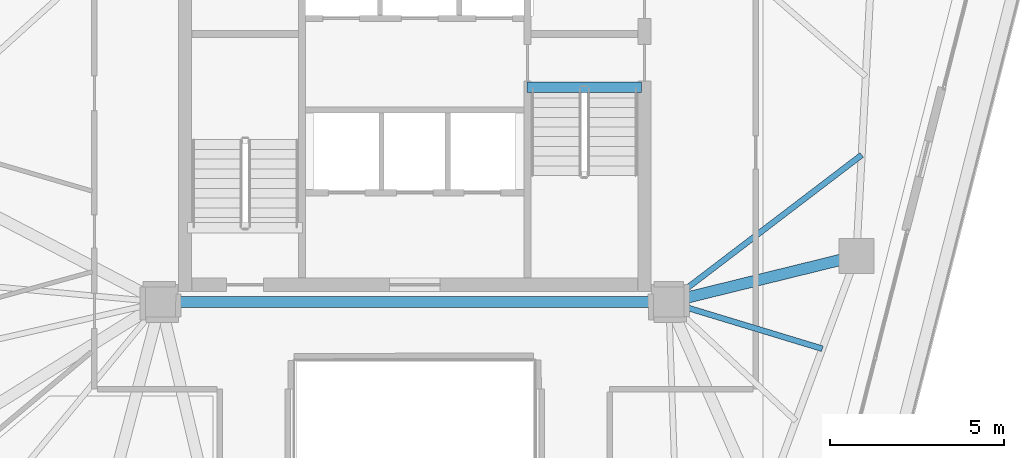
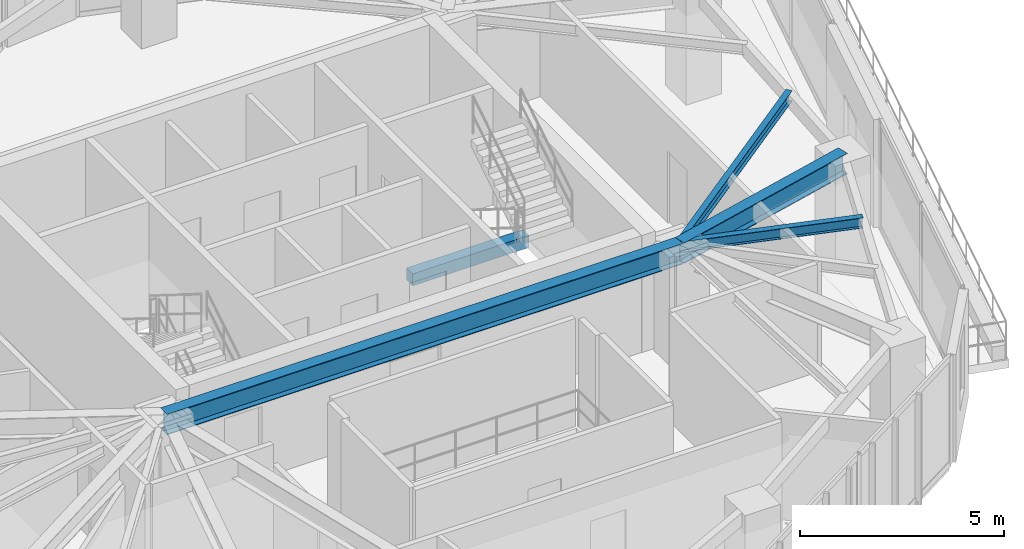
# One storey, part 8 of 21: 5 beams.
"""IFC4 building model written with IfcOpenShell, lengths in metres."""

from ifc_helpers import new_model, si_unit, direction, frame, origin, origin_2d, place, context, subcontext, project, spatial, rectangle, i_section, extrude, material, material_profile, profile_set, type_object, element, save


model = new_model("IFC4")

# Units and contexts
model_context = context("Model", 3, precision=1e-05, world=origin(), true_north=direction((0.0, 1.0)))
body_context = subcontext(model_context, "Body", "Model", "MODEL_VIEW")
ifc_project = project(units=[si_unit("LENGTHUNIT", "METRE"), si_unit("AREAUNIT", "SQUARE_METRE"), si_unit("VOLUMEUNIT", "CUBIC_METRE"), si_unit("PLANEANGLEUNIT", "RADIAN"), si_unit("MASSUNIT", "GRAM", prefix="KILO")], contexts=[model_context])

# Site, building, storey
site_placement = place(None, origin())
site = spatial("IfcSite", under=ifc_project, at=site_placement, CompositionType="ELEMENT")
building_placement = place(site_placement, origin())
building = spatial("IfcBuilding", under=site, at=building_placement, Name="Talar Marvaseh", CompositionType="ELEMENT")
storey_placement = place(building_placement, frame((0.0, 0.0, 184.5)))
storey = spatial("IfcBuildingStorey", under=building, at=storey_placement, Name="L48", CompositionType="ELEMENT", Elevation=184.5)

# Beams
ifc_material_1 = material(Name="Concrete C40/50", Category="concrete")
ifc_material_profile_1 = material_profile(ifc_material_1, rectangle(XDim=0.300048828125, YDim=0.360107421875, at=origin_2d()), Name="RC300x360")
ifc_profile_set_1 = profile_set([ifc_material_profile_1], Name="Concrete C40/50")
beam_type_1 = type_object("IfcBeamType", Name="Concrete Stair Landing Trimmer Beam RC300x360", PredefinedType="SPANDREL", material=ifc_profile_set_1)
beam_1_placement = place(storey_placement, frame((29.219970703125, 31.669921875, -0.179931640625), z_axis=(1.0, 0.0, 0.0), x_axis=(0.0, 1.0, 0.0)))
element("IfcBeam", 1, at=beam_1_placement, inside=storey, type_object=beam_type_1, Name="L48 ST-2 Stair Nosing Trimmer Beam", PredefinedType="SPANDREL", context=body_context, shape_type="SweptSolid", body=[
    extrude(rectangle(XDim=0.300048828125, YDim=0.360107421875, at=origin_2d()), origin(), (0.0, 0.0, 1.0), 3.300048828125),
])
ifc_material_2 = material(Name="Steel S355", Category="steel")
ifc_material_profile_2 = material_profile(ifc_material_2, i_section(OverallWidth=0.324951171875, OverallDepth=0.615966796875, WebThickness=0.013916015625, FlangeThickness=0.021484375, at=origin_2d()), Name="W610x174")
ifc_profile_set_2 = profile_set([ifc_material_profile_2], Name="Steel S355")
beam_type_2 = type_object("IfcBeamType", Name="Zone 3 Radial Floor Girder W610x174", PredefinedType="BEAM", material=ifc_profile_set_2)
beam_2_placement = place(storey_placement, frame((18.699951171875, 25.5, 2.922119140625), z_axis=(1.0, 0.0, 0.0), x_axis=(0.0, 1.0, 0.0)))
element("IfcBeam", 2, at=beam_2_placement, inside=storey, type_object=beam_type_2, Name="L48 Zone 3 Radial Floor Girder W610x174", PredefinedType="BEAM", context=body_context, shape_type="SweptSolid", body=[
    extrude(i_section(OverallWidth=0.324951171875, OverallDepth=0.615966796875, WebThickness=0.013916015625, FlangeThickness=0.021484375, at=origin_2d()), origin(), (0.0, 0.0, 1.0), 14.60009765625),
])
beam_3_placement = place(storey_placement, frame((38.68896484375, 26.823974609375, 2.922119140625), z_axis=(-0.971120507527, -0.238589521692, 0.0), x_axis=(0.238589521692, -0.971120507527, 0.0)))
element("IfcBeam", 3, at=beam_3_placement, inside=storey, type_object=beam_type_2, Name="L48 Zone 3 Radial Floor Girder W610x174", PredefinedType="BEAM", context=body_context, shape_type="SweptSolid", body=[
    extrude(i_section(OverallWidth=0.324951171875, OverallDepth=0.615966796875, WebThickness=0.013916015625, FlangeThickness=0.021484375, at=origin_2d()), origin(), (0.0, 0.0, 1.0), 5.549072265625),
])
ifc_material_profile_3 = material_profile(ifc_material_2, i_section(OverallWidth=0.166015625, OverallDepth=0.31298828125, WebThickness=0.006591796875, FlangeThickness=0.01123046875, at=origin_2d()), Name="W310x45")
ifc_profile_set_3 = profile_set([ifc_material_profile_3], Name="Steel S355")
beam_type_3 = type_object("IfcBeamType", Name="Zone 3 Secondary Floor Joist W310x45", PredefinedType="JOIST", material=ifc_profile_set_3)
beam_4_placement = place(storey_placement, frame((38.841552734375, 29.7255859375, 3.073486328125), z_axis=(-0.795190393297, -0.606359825852, 0.0), x_axis=(0.606359825852, -0.795190393297, 0.0)))
element("IfcBeam", 4, at=beam_4_placement, inside=storey, type_object=beam_type_3, Name="L48 Zone 3 Secondary Floor Joist W310x45", PredefinedType="JOIST", context=body_context, shape_type="SweptSolid", body=[
    extrude(i_section(OverallWidth=0.166015625, OverallDepth=0.31298828125, WebThickness=0.006591796875, FlangeThickness=0.01123046875, at=origin_2d()), origin(), (0.0, 0.0, 1.0), 6.96875),
])
beam_5_placement = place(storey_placement, frame((37.71044921875, 24.15966796875, 3.073486328125), z_axis=(-0.956792465721, 0.290771693153, 0.0), x_axis=(-0.290771693153, -0.956792465721, 0.0)))
element("IfcBeam", 5, at=beam_5_placement, inside=storey, type_object=beam_type_3, Name="L48 Zone 3 Secondary Floor Joist W310x45", PredefinedType="JOIST", context=body_context, shape_type="SweptSolid", body=[
    extrude(i_section(OverallWidth=0.166015625, OverallDepth=0.31298828125, WebThickness=0.006591796875, FlangeThickness=0.01123046875, at=origin_2d()), origin(), (0.0, 0.0, 1.0), 4.609619140625),
])

save(model, "model.ifc")
